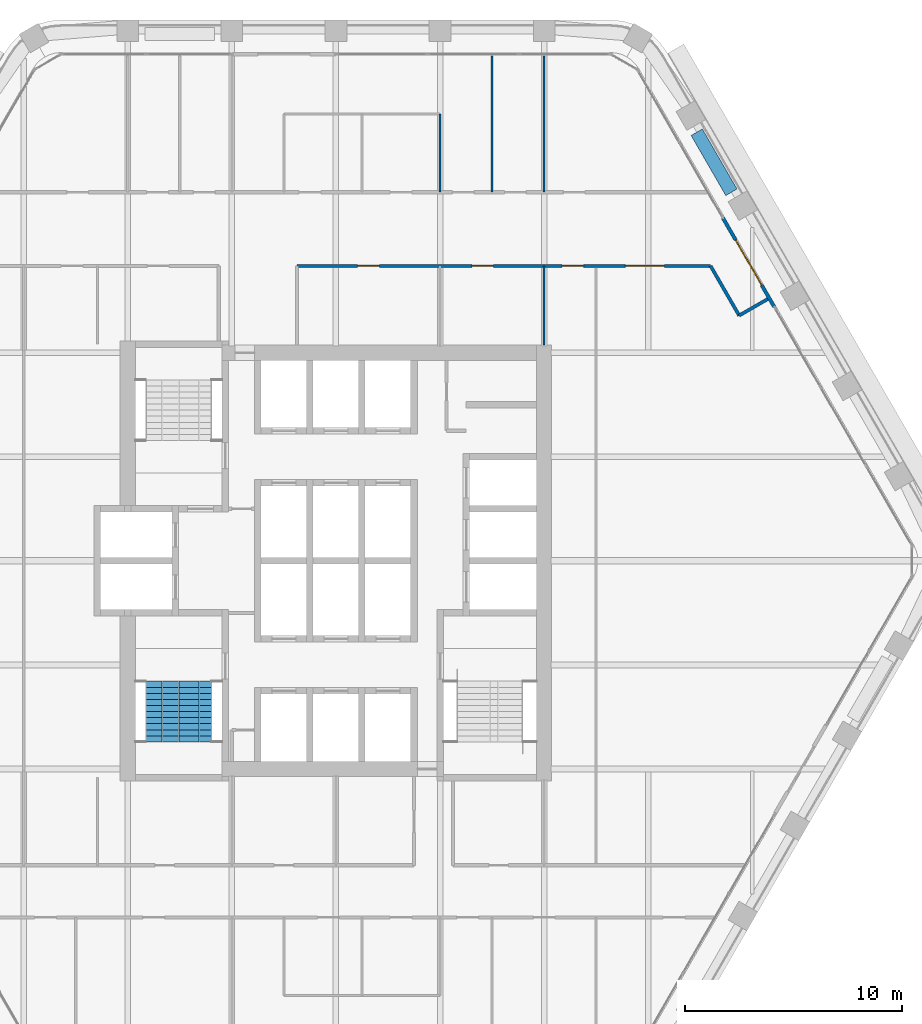
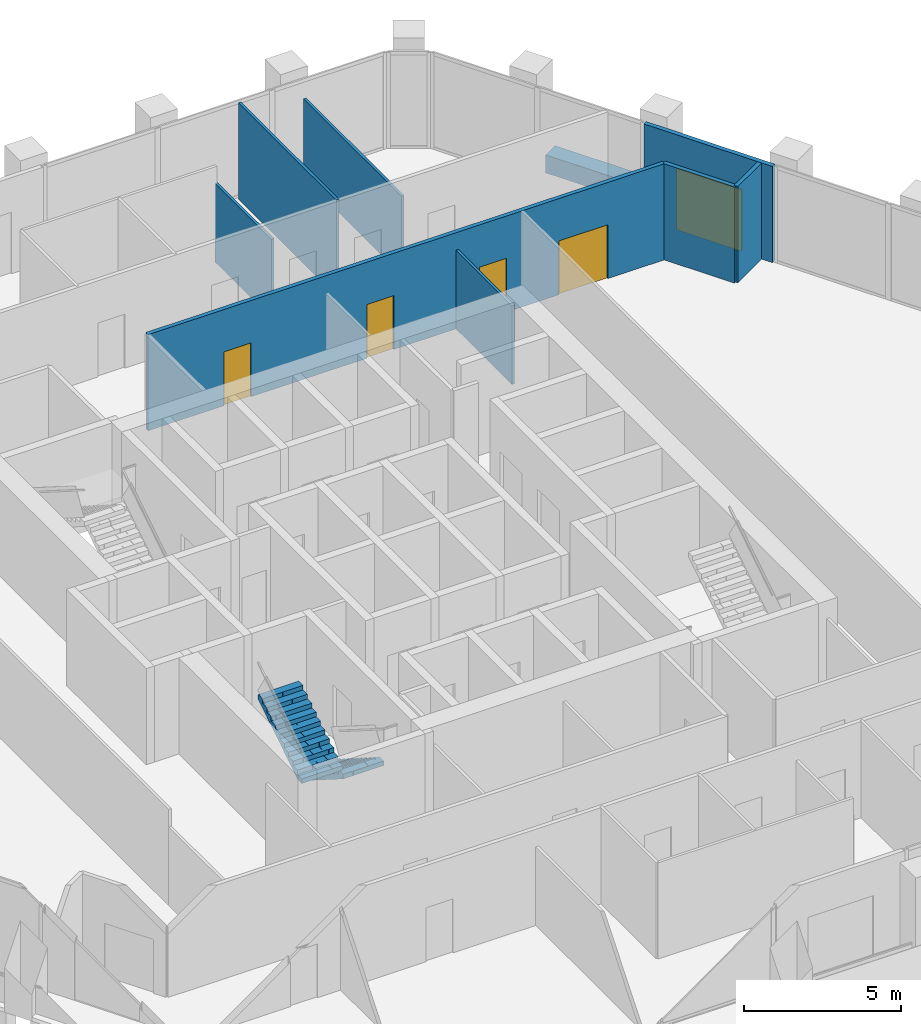
# One storey, part 12 of 15: 9 walls, 5 doors, 2 stair flights, 5 openings, 1 element without a shape of its own.
"""IFC4 building model written with IfcOpenShell, lengths in metres."""

from ifc_helpers import new_model, si_unit, direction, frame, frame_2d, origin, place, context, subcontext, project, spatial, polyline, rectangle, outline, extrude, material, layer, layer_set, type_object, element, fill, aggregate, save


model = new_model("IFC4")

# Units and contexts
model_context = context("Model", 3, precision=1e-05, world=origin(), true_north=direction((0.0, 1.0)))
body_context = subcontext(model_context, "Body", "Model", "MODEL_VIEW")
ifc_project = project(units=[si_unit("LENGTHUNIT", "METRE"), si_unit("AREAUNIT", "SQUARE_METRE"), si_unit("VOLUMEUNIT", "CUBIC_METRE"), si_unit("PLANEANGLEUNIT", "RADIAN"), si_unit("MASSUNIT", "GRAM", prefix="KILO")], contexts=[model_context])

# Site, building, storey
site_placement = place(None, origin())
site = spatial("IfcSite", under=ifc_project, at=site_placement, CompositionType="ELEMENT")
building_placement = place(site_placement, origin())
building = spatial("IfcBuilding", under=site, at=building_placement, Name="Kolab Exchange Tower", CompositionType="ELEMENT")
storey_placement = place(building_placement, frame((0.0, 0.0, 173.89990234375)))
storey = spatial("IfcBuildingStorey", under=building, at=storey_placement, Name="L36", CompositionType="ELEMENT", Elevation=173.89990234375)

# Wall, opening, door
ifc_material_1 = material(Name="Aluminium EN AW-6063 T6", Category="aluminium")
ifc_layer_1 = layer(ifc_material_1, 0.159912109375)
ifc_layer_set_1 = layer_set([ifc_layer_1], Name="Aluminium EN AW-6063 T6")
wall_type_1 = type_object("IfcWallType", Name="DOOR SURROUND WALL 160 ALUMINIUM FRAMED", PredefinedType="PARTITIONING", material=ifc_layer_set_1)
wall_1_placement = place(storey_placement, frame((17.8466796875, 15.811767578125, 0.0), z_axis=(0.0, 0.0, 1.0), x_axis=(0.5000167099, -0.866015756104, 0.0)))
wall_1 = element("IfcWall", 1, at=wall_1_placement, inside=storey, type_object=wall_type_1, Name="Door surround wall", PredefinedType="PARTITIONING", context=body_context, shape_type="SweptSolid", body=[
    extrude(rectangle(XDim=4.739990234375, YDim=0.159912109375, at=frame_2d((2.3701171875, 0.0))), origin(), (0.0, 0.0, 1.0), 3.75),
])
opening_1_placement = place(wall_1_placement, frame((1.169921875, 0.0, 0.0)))
opening_1 = element("IfcOpeningElement", 2, at=opening_1_placement, cuts=wall_1, Name="Opening GD1-065", PredefinedType="OPENING", context=body_context, shape_type="SweptSolid", body=[
    extrude(rectangle(XDim=2.39990234375, YDim=2.39990234375, at=frame_2d((1.199951171875, 1.199951171875))), frame((0.0, 0.08984375, 0.0), z_axis=(0.0, -1.0, 0.0), x_axis=(1.0, 0.0, 0.0)), (0.0, 0.0, 1.0), 0.179931640625),
])
door_type_1 = type_object("IfcDoorType", Name="LOGGIA SLIDING GLASS DOOR 2400 X 2400", OperationType="DOUBLE_DOOR_SINGLE_SWING", PredefinedType="DOOR", material=ifc_material_1)
door_1_placement = place(opening_1_placement, origin())
door_1 = element("IfcDoor", 3, at=door_1_placement, inside=storey, type_object=door_type_1, Name="Loggia door", OperationType="DOUBLE_DOOR_SLIDING", OverallHeight=2.39990234375, OverallWidth=2.39990234375, PredefinedType="DOOR", context=body_context, shape_type="SweptSolid", body=[
    extrude(rectangle(XDim=2.39990234375, YDim=2.39990234375, at=frame_2d((1.199951171875, 1.199951171875))), frame((0.0, 0.02490234375, 0.0), z_axis=(0.0, -1.0, 0.0), x_axis=(1.0, 0.0, 0.0)), (0.0, 0.0, 1.0), 0.050048828125),
])
fill(opening_1, door_1)

# Walls
ifc_material_2 = material(Name="Gypsum board", Category="gypsum")
ifc_layer_2 = layer(ifc_material_2, 0.10009765625)
ifc_layer_set_2 = layer_set([ifc_layer_2], Name="Gypsum board")
wall_type_2 = type_object("IfcWallType", Name="PARTITION 100", PredefinedType="PARTITIONING", material=ifc_layer_set_2)
wall_2_placement = place(storey_placement, frame((9.60009765625, 9.949951171875, 0.0), z_axis=(0.0, 0.0, 1.0), x_axis=(0.0, 1.0, 0.0)))
element("IfcWall", 4, at=wall_2_placement, inside=storey, type_object=wall_type_2, Name="Partition 003", PredefinedType="PARTITIONING", context=body_context, shape_type="SweptSolid", body=[
    extrude(rectangle(XDim=3.650146484375, YDim=0.10009765625, at=frame_2d((1.8251953125, 0.0))), origin(), (0.0, 0.0, 1.0), 3.066162109375),
])
wall_3_placement = place(storey_placement, frame((9.60009765625, 17.0, 0.0), z_axis=(0.0, 0.0, 1.0), x_axis=(0.0, 1.0, 0.0)))
element("IfcWall", 5, at=wall_3_placement, inside=storey, type_object=wall_type_2, Name="Partition 004", PredefinedType="PARTITIONING", context=body_context, shape_type="SweptSolid", body=[
    extrude(rectangle(XDim=6.271484375, YDim=0.10009765625, at=frame_2d((3.1357421875, 0.0))), origin(), (0.0, 0.0, 1.0), 3.066162109375),
])
wall_4_placement = place(storey_placement, frame((7.199951171875, 17.0, 0.0), z_axis=(0.0, 0.0, 1.0), x_axis=(0.0, 1.0, 0.0)))
element("IfcWall", 6, at=wall_4_placement, inside=storey, type_object=wall_type_2, Name="Partition 006", PredefinedType="PARTITIONING", context=body_context, shape_type="SweptSolid", body=[
    extrude(rectangle(XDim=6.271484375, YDim=0.10009765625, at=frame_2d((3.1357421875, 0.0))), origin(), (0.0, 0.0, 1.0), 3.75),
])
wall_5_placement = place(storey_placement, frame((4.800048828125, 17.0, 0.0), z_axis=(0.0, 0.0, 1.0), x_axis=(0.0, 1.0, 0.0)))
element("IfcWall", 7, at=wall_5_placement, inside=storey, type_object=wall_type_2, Name="Partition 011", PredefinedType="PARTITIONING", context=body_context, shape_type="SweptSolid", body=[
    extrude(rectangle(XDim=3.60009765625, YDim=0.10009765625, at=frame_2d((1.800048828125, 0.0))), origin(), (0.0, 0.0, 1.0), 3.066162109375),
])
ifc_layer_3 = layer(ifc_material_2, 0.14990234375)
ifc_layer_set_3 = layer_set([ifc_layer_3], Name="Gypsum board")
wall_type_3 = type_object("IfcWallType", Name="PARTITION 150 FIRE-RATED", PredefinedType="PARTITIONING", material=ifc_layer_set_3)
wall_6_placement = place(storey_placement, frame((17.276123046875, 13.60009765625, 0.0), z_axis=(0.0, 0.0, 1.0), x_axis=(0.499938597367, -0.866060851709, 0.0)))
element("IfcWall", 8, at=wall_6_placement, inside=storey, type_object=wall_type_3, Name="Partition 031", PredefinedType="PARTITIONING", context=body_context, shape_type="SweptSolid", body=[
    extrude(rectangle(XDim=2.639892578125, YDim=0.14990234375, at=frame_2d((1.31982421875, 0.0))), origin(), (0.0, 0.0, 1.0), 3.75),
])
wall_7_placement = place(storey_placement, frame((18.595947265625, 11.313720703125, 0.0), z_axis=(0.0, 0.0, 1.0), x_axis=(0.866030456496, 0.499991248344, 0.0)))
element("IfcWall", 9, at=wall_7_placement, inside=storey, type_object=wall_type_3, Name="Partition 033", PredefinedType="PARTITIONING", context=body_context, shape_type="SweptSolid", body=[
    extrude(rectangle(XDim=1.52001953125, YDim=0.14990234375, at=frame_2d((0.760009765625, 0.0))), origin(), (0.0, 0.0, 1.0), 3.75),
])

# Wall, openings, doors
wall_8_placement = place(storey_placement, frame((-1.800048828125, 13.60009765625, 0.0), z_axis=(0.0, 0.0, 1.0), x_axis=(1.0, 0.0, 0.0)))
wall_8 = element("IfcWall", 10, at=wall_8_placement, inside=storey, type_object=wall_type_3, Name="Partition 041", PredefinedType="PARTITIONING", context=body_context, shape_type="SweptSolid", body=[
    extrude(rectangle(XDim=19.076171875, YDim=0.14990234375, at=frame_2d((9.5380859375, 0.0))), origin(), (0.0, 0.0, 1.0), 3.75),
])
opening_2_placement = place(wall_8_placement, frame((2.800048828125, 0.0, 0.0)))
opening_2 = element("IfcOpeningElement", 11, at=opening_2_placement, cuts=wall_8, Name="Opening D1-473", PredefinedType="OPENING", context=body_context, shape_type="SweptSolid", body=[
    extrude(rectangle(XDim=1.0, YDim=2.10009765625, at=frame_2d((0.5, 1.050048828125))), frame((0.0, 0.0849609375, 0.0), z_axis=(0.0, -1.0, 0.0), x_axis=(1.0, 0.0, 0.0)), (0.0, 0.0, 1.0), 0.169921875),
])
opening_3_placement = place(wall_8_placement, frame((8.06494140625, 0.0, 0.0)))
opening_3 = element("IfcOpeningElement", 12, at=opening_3_placement, cuts=wall_8, Name="Opening D1-474", PredefinedType="OPENING", context=body_context, shape_type="SweptSolid", body=[
    extrude(rectangle(XDim=1.0, YDim=2.10009765625, at=frame_2d((0.5, 1.050048828125))), frame((0.0, 0.0849609375, 0.0), z_axis=(0.0, -1.0, 0.0), x_axis=(1.0, 0.0, 0.0)), (0.0, 0.0, 1.0), 0.169921875),
])
opening_4_placement = place(wall_8_placement, frame((12.22509765625, 0.0, 0.0)))
opening_4 = element("IfcOpeningElement", 13, at=opening_4_placement, cuts=wall_8, Name="Opening D1-492", PredefinedType="OPENING", context=body_context, shape_type="SweptSolid", body=[
    extrude(rectangle(XDim=1.0, YDim=2.10009765625, at=frame_2d((0.5, 1.050048828125))), frame((0.0, 0.0849609375, 0.0), z_axis=(0.0, -1.0, 0.0), x_axis=(1.0, 0.0, 0.0)), (0.0, 0.0, 1.0), 0.169921875),
])
opening_5_placement = place(wall_8_placement, frame((15.151611328125, 0.0, 0.0)))
opening_5 = element("IfcOpeningElement", 14, at=opening_5_placement, cuts=wall_8, Name="Opening D2-050", PredefinedType="OPENING", context=body_context, shape_type="SweptSolid", body=[
    extrude(rectangle(XDim=1.800048828125, YDim=2.10009765625, at=frame_2d((0.89990234375, 1.050048828125))), frame((0.0, 0.0849609375, 0.0), z_axis=(0.0, -1.0, 0.0), x_axis=(1.0, 0.0, 0.0)), (0.0, 0.0, 1.0), 0.169921875),
])
ifc_material_3 = material(Name="Steel S235", Category="steel")
door_type_2 = type_object("IfcDoorType", Name="DOUBLE DOOR 1800 FD60", OperationType="DOUBLE_DOOR_SINGLE_SWING", PredefinedType="DOOR", material=ifc_material_3)
door_2_placement = place(opening_5_placement, frame((1.800048828125, 0.0, 0.0), z_axis=(0.0, 0.0, 1.0), x_axis=(-1.0, 0.0, 0.0)))
door_2 = element("IfcDoor", 15, at=door_2_placement, inside=storey, type_object=door_type_2, Name="Door L36-054", OperationType="SINGLE_SWING_LEFT", OverallHeight=2.10009765625, OverallWidth=1.800048828125, PredefinedType="DOOR", context=body_context, shape_type="SweptSolid", body=[
    extrude(rectangle(XDim=1.800048828125, YDim=2.10009765625, at=frame_2d((0.89990234375, 1.050048828125))), frame((0.0, 0.02490234375, 0.0), z_axis=(0.0, -1.0, 0.0), x_axis=(1.0, 0.0, 0.0)), (0.0, 0.0, 1.0), 0.050048828125),
])
fill(opening_5, door_2)
door_type_3 = type_object("IfcDoorType", Name="FLUSH DOOR 1000 FD60", OperationType="SINGLE_SWING_LEFT", PredefinedType="DOOR", material=ifc_material_3)
door_3_placement = place(opening_2_placement, frame((1.0, 0.0, 0.0), z_axis=(0.0, 0.0, 1.0), x_axis=(-1.0, 0.0, 0.0)))
door_3 = element("IfcDoor", 16, at=door_3_placement, inside=storey, type_object=door_type_3, Name="Door L36-031", OperationType="SINGLE_SWING_LEFT", OverallHeight=2.10009765625, OverallWidth=1.0, PredefinedType="DOOR", context=body_context, shape_type="SweptSolid", body=[
    extrude(rectangle(XDim=1.0, YDim=2.10009765625, at=frame_2d((0.5, 1.050048828125))), frame((0.0, 0.02490234375, 0.0), z_axis=(0.0, -1.0, 0.0), x_axis=(1.0, 0.0, 0.0)), (0.0, 0.0, 1.0), 0.050048828125),
])
fill(opening_2, door_3)
door_4_placement = place(opening_3_placement, frame((1.0, 0.0, 0.0), z_axis=(0.0, 0.0, 1.0), x_axis=(-1.0, 0.0, 0.0)))
door_4 = element("IfcDoor", 17, at=door_4_placement, inside=storey, type_object=door_type_3, Name="Door L36-032", OperationType="SINGLE_SWING_LEFT", OverallHeight=2.10009765625, OverallWidth=1.0, PredefinedType="DOOR", context=body_context, shape_type="SweptSolid", body=[
    extrude(rectangle(XDim=1.0, YDim=2.10009765625, at=frame_2d((0.5, 1.050048828125))), frame((0.0, 0.02490234375, 0.0), z_axis=(0.0, -1.0, 0.0), x_axis=(1.0, 0.0, 0.0)), (0.0, 0.0, 1.0), 0.050048828125),
])
fill(opening_3, door_4)
door_5_placement = place(opening_4_placement, frame((1.0, 0.0, 0.0), z_axis=(0.0, 0.0, 1.0), x_axis=(-1.0, 0.0, 0.0)))
door_5 = element("IfcDoor", 18, at=door_5_placement, inside=storey, type_object=door_type_3, Name="Door L36-053", OperationType="SINGLE_SWING_RIGHT", OverallHeight=2.10009765625, OverallWidth=1.0, PredefinedType="DOOR", context=body_context, shape_type="SweptSolid", body=[
    extrude(rectangle(XDim=1.0, YDim=2.10009765625, at=frame_2d((0.5, 1.050048828125))), frame((0.0, 0.02490234375, 0.0), z_axis=(0.0, -1.0, 0.0), x_axis=(1.0, 0.0, 0.0)), (0.0, 0.0, 1.0), 0.050048828125),
])
fill(opening_4, door_5)

# Wall
ifc_material_4 = material(Name="Granite facing", Category="masonry")
ifc_layer_4 = layer(ifc_material_4, 0.0400390625)
ifc_material_5 = material(Name="Concrete C40/50 precast", Category="concrete")
ifc_layer_5 = layer(ifc_material_5, 0.56005859375)
ifc_layer_set_4 = layer_set([ifc_layer_4, ifc_layer_5], Name="Concrete C40/50 precast")
wall_type_4 = type_object("IfcWallType", Name="PLANTER BOX 600 X 700 SOIL DEPTH 550", PredefinedType="USERDEFINED", material=ifc_layer_set_4)
wall_9_placement = place(storey_placement, frame((16.636962890625, 19.766845703125, 0.0), z_axis=(0.0, 0.0, 1.0), x_axis=(0.500028443584, -0.866008981251, 0.0)))
element("IfcWall", 19, at=wall_9_placement, inside=storey, type_object=wall_type_4, Name="Planter", ObjectType="PLANTER", PredefinedType="USERDEFINED", context=body_context, shape_type="SweptSolid", body=[
    extrude(rectangle(XDim=3.199951171875, YDim=0.60009765625, at=frame_2d((1.60009765625, 0.0))), origin(), (0.0, 0.0, 1.0), 0.7001953125),
])

# Stair, stair flights
ifc_material_6 = material(Name="Concrete C50/60", Category="concrete")
stair_type = type_object("IfcStairType", Name="STAIR ST3 RISER 177.3", PredefinedType="HALF_TURN_STAIR", material=ifc_material_6)
stair_placement = place(storey_placement, origin())
stair = element("IfcStair", 20, at=stair_placement, inside=storey, type_object=stair_type, Name="Stair 3", PredefinedType="HALF_TURN_STAIR")
stair_flight_type = type_object("IfcStairFlightType", Name="STAIR FLIGHT 1500 RISER 177.3", PredefinedType="STRAIGHT", material=ifc_material_6)
stair_flight_1_placement = place(storey_placement, frame((-6.489990234375, -5.550048828125, 0.0), z_axis=(0.0, 0.0, 1.0), x_axis=(0.0, -1.0, 0.0)))
stair_flight_1 = element("IfcStairFlight", 21, at=stair_flight_1_placement, type_object=stair_flight_type, Name="ST3 flight 1", NumberOfRisers=11, NumberOfTreads=10, PredefinedType="STRAIGHT", RiserHeight=0.177272727, TreadLength=0.28, context=body_context, shape_type="SweptSolid", body=[
    extrude(outline(polyline([(0.0, 0.0), (0.0, 0.17724609375), (0.280029296875, 0.17724609375), (0.280029296875, 0.3544921875), (0.56005859375, 0.3544921875), (0.56005859375, 0.53173828125), (0.840087890625, 0.53173828125), (0.840087890625, 0.708984375), (1.1201171875, 0.708984375), (1.1201171875, 0.886474609375), (1.39990234375, 0.886474609375), (1.39990234375, 1.063720703125), (1.679931640625, 1.063720703125), (1.679931640625, 1.240966796875), (1.9599609375, 1.240966796875), (1.9599609375, 1.418212890625), (2.239990234375, 1.418212890625), (2.239990234375, 1.595458984375), (2.52001953125, 1.595458984375), (2.52001953125, 1.772705078125), (2.800048828125, 1.772705078125), (2.800048828125, 1.949951171875), (2.800048828125, 1.59521484375), (0.2802734375, 0.0), (0.0, 0.0)])), frame((0.0, 0.75, 0.0), z_axis=(0.0, -1.0, 0.0), x_axis=(1.0, 0.0, 0.0)), (0.0, 0.0, 1.0), 0.185791015625),
    extrude(outline(polyline([(0.0, 0.0), (0.0, 0.17724609375), (0.280029296875, 0.17724609375), (0.280029296875, 0.3544921875), (0.56005859375, 0.3544921875), (0.56005859375, 0.53173828125), (0.840087890625, 0.53173828125), (0.840087890625, 0.708984375), (1.1201171875, 0.708984375), (1.1201171875, 0.886474609375), (1.39990234375, 0.886474609375), (1.39990234375, 1.063720703125), (1.679931640625, 1.063720703125), (1.679931640625, 1.240966796875), (1.9599609375, 1.240966796875), (1.9599609375, 1.418212890625), (2.239990234375, 1.418212890625), (2.239990234375, 1.595458984375), (2.52001953125, 1.595458984375), (2.52001953125, 1.772705078125), (2.800048828125, 1.772705078125), (2.800048828125, 1.949951171875), (2.800048828125, 1.59521484375), (0.2802734375, 0.0), (0.0, 0.0)])), frame((0.0, 0.562255859375, 0.0), z_axis=(0.0, -1.0, 0.0), x_axis=(1.0, 0.0, 0.0)), (0.0, 0.0, 1.0), 0.185791015625),
    extrude(outline(polyline([(0.0, 0.0), (0.0, 0.17724609375), (0.280029296875, 0.17724609375), (0.280029296875, 0.3544921875), (0.56005859375, 0.3544921875), (0.56005859375, 0.53173828125), (0.840087890625, 0.53173828125), (0.840087890625, 0.708984375), (1.1201171875, 0.708984375), (1.1201171875, 0.886474609375), (1.39990234375, 0.886474609375), (1.39990234375, 1.063720703125), (1.679931640625, 1.063720703125), (1.679931640625, 1.240966796875), (1.9599609375, 1.240966796875), (1.9599609375, 1.418212890625), (2.239990234375, 1.418212890625), (2.239990234375, 1.595458984375), (2.52001953125, 1.595458984375), (2.52001953125, 1.772705078125), (2.800048828125, 1.772705078125), (2.800048828125, 1.949951171875), (2.800048828125, 1.59521484375), (0.2802734375, 0.0), (0.0, 0.0)])), frame((0.0, 0.37451171875, 0.0), z_axis=(0.0, -1.0, 0.0), x_axis=(1.0, 0.0, 0.0)), (0.0, 0.0, 1.0), 0.185791015625),
    extrude(outline(polyline([(0.0, 0.0), (0.0, 0.17724609375), (0.280029296875, 0.17724609375), (0.280029296875, 0.3544921875), (0.56005859375, 0.3544921875), (0.56005859375, 0.53173828125), (0.840087890625, 0.53173828125), (0.840087890625, 0.708984375), (1.1201171875, 0.708984375), (1.1201171875, 0.886474609375), (1.39990234375, 0.886474609375), (1.39990234375, 1.063720703125), (1.679931640625, 1.063720703125), (1.679931640625, 1.240966796875), (1.9599609375, 1.240966796875), (1.9599609375, 1.418212890625), (2.239990234375, 1.418212890625), (2.239990234375, 1.595458984375), (2.52001953125, 1.595458984375), (2.52001953125, 1.772705078125), (2.800048828125, 1.772705078125), (2.800048828125, 1.949951171875), (2.800048828125, 1.59521484375), (0.2802734375, 0.0), (0.0, 0.0)])), frame((0.0, 0.186767578125, 0.0), z_axis=(0.0, -1.0, 0.0), x_axis=(1.0, 0.0, 0.0)), (0.0, 0.0, 1.0), 0.185791015625),
    extrude(outline(polyline([(0.0, 0.0), (0.0, 0.17724609375), (0.280029296875, 0.17724609375), (0.280029296875, 0.3544921875), (0.56005859375, 0.3544921875), (0.56005859375, 0.53173828125), (0.840087890625, 0.53173828125), (0.840087890625, 0.708984375), (1.1201171875, 0.708984375), (1.1201171875, 0.886474609375), (1.39990234375, 0.886474609375), (1.39990234375, 1.063720703125), (1.679931640625, 1.063720703125), (1.679931640625, 1.240966796875), (1.9599609375, 1.240966796875), (1.9599609375, 1.418212890625), (2.239990234375, 1.418212890625), (2.239990234375, 1.595458984375), (2.52001953125, 1.595458984375), (2.52001953125, 1.772705078125), (2.800048828125, 1.772705078125), (2.800048828125, 1.949951171875), (2.800048828125, 1.59521484375), (0.2802734375, 0.0), (0.0, 0.0)])), frame((0.0, -0.0009765625, 0.0), z_axis=(0.0, -1.0, 0.0), x_axis=(1.0, 0.0, 0.0)), (0.0, 0.0, 1.0), 0.185791015625),
    extrude(outline(polyline([(0.0, 0.0), (0.0, 0.17724609375), (0.280029296875, 0.17724609375), (0.280029296875, 0.3544921875), (0.56005859375, 0.3544921875), (0.56005859375, 0.53173828125), (0.840087890625, 0.53173828125), (0.840087890625, 0.708984375), (1.1201171875, 0.708984375), (1.1201171875, 0.886474609375), (1.39990234375, 0.886474609375), (1.39990234375, 1.063720703125), (1.679931640625, 1.063720703125), (1.679931640625, 1.240966796875), (1.9599609375, 1.240966796875), (1.9599609375, 1.418212890625), (2.239990234375, 1.418212890625), (2.239990234375, 1.595458984375), (2.52001953125, 1.595458984375), (2.52001953125, 1.772705078125), (2.800048828125, 1.772705078125), (2.800048828125, 1.949951171875), (2.800048828125, 1.59521484375), (0.2802734375, 0.0), (0.0, 0.0)])), frame((0.0, -0.188720703125, 0.0), z_axis=(0.0, -1.0, 0.0), x_axis=(1.0, 0.0, 0.0)), (0.0, 0.0, 1.0), 0.185791015625),
    extrude(outline(polyline([(0.0, 0.0), (0.0, 0.17724609375), (0.280029296875, 0.17724609375), (0.280029296875, 0.3544921875), (0.56005859375, 0.3544921875), (0.56005859375, 0.53173828125), (0.840087890625, 0.53173828125), (0.840087890625, 0.708984375), (1.1201171875, 0.708984375), (1.1201171875, 0.886474609375), (1.39990234375, 0.886474609375), (1.39990234375, 1.063720703125), (1.679931640625, 1.063720703125), (1.679931640625, 1.240966796875), (1.9599609375, 1.240966796875), (1.9599609375, 1.418212890625), (2.239990234375, 1.418212890625), (2.239990234375, 1.595458984375), (2.52001953125, 1.595458984375), (2.52001953125, 1.772705078125), (2.800048828125, 1.772705078125), (2.800048828125, 1.949951171875), (2.800048828125, 1.59521484375), (0.2802734375, 0.0), (0.0, 0.0)])), frame((0.0, -0.37646484375, 0.0), z_axis=(0.0, -1.0, 0.0), x_axis=(1.0, 0.0, 0.0)), (0.0, 0.0, 1.0), 0.185791015625),
    extrude(outline(polyline([(0.0, 0.0), (0.0, 0.17724609375), (0.280029296875, 0.17724609375), (0.280029296875, 0.3544921875), (0.56005859375, 0.3544921875), (0.56005859375, 0.53173828125), (0.840087890625, 0.53173828125), (0.840087890625, 0.708984375), (1.1201171875, 0.708984375), (1.1201171875, 0.886474609375), (1.39990234375, 0.886474609375), (1.39990234375, 1.063720703125), (1.679931640625, 1.063720703125), (1.679931640625, 1.240966796875), (1.9599609375, 1.240966796875), (1.9599609375, 1.418212890625), (2.239990234375, 1.418212890625), (2.239990234375, 1.595458984375), (2.52001953125, 1.595458984375), (2.52001953125, 1.772705078125), (2.800048828125, 1.772705078125), (2.800048828125, 1.949951171875), (2.800048828125, 1.59521484375), (0.2802734375, 0.0), (0.0, 0.0)])), frame((0.0, -0.564208984375, 0.0), z_axis=(0.0, -1.0, 0.0), x_axis=(1.0, 0.0, 0.0)), (0.0, 0.0, 1.0), 0.185791015625),
])
stair_flight_2_placement = place(storey_placement, frame((-8.010009765625, -8.35009765625, 1.9501953125), z_axis=(0.0, 0.0, 1.0), x_axis=(0.0, 1.0, 0.0)))
stair_flight_2 = element("IfcStairFlight", 22, at=stair_flight_2_placement, type_object=stair_flight_type, Name="ST3 flight 2", NumberOfRisers=11, NumberOfTreads=10, PredefinedType="STRAIGHT", RiserHeight=0.177272727, TreadLength=0.28, context=body_context, shape_type="SweptSolid", body=[
    extrude(outline(polyline([(0.0, 0.0), (0.0, 0.17724609375), (0.280029296875, 0.17724609375), (0.280029296875, 0.3544921875), (0.56005859375, 0.3544921875), (0.56005859375, 0.53173828125), (0.840087890625, 0.53173828125), (0.840087890625, 0.708984375), (1.1201171875, 0.708984375), (1.1201171875, 0.886474609375), (1.39990234375, 0.886474609375), (1.39990234375, 1.063720703125), (1.679931640625, 1.063720703125), (1.679931640625, 1.240966796875), (1.9599609375, 1.240966796875), (1.9599609375, 1.418212890625), (2.239990234375, 1.418212890625), (2.239990234375, 1.595458984375), (2.52001953125, 1.595458984375), (2.52001953125, 1.772705078125), (2.800048828125, 1.772705078125), (2.800048828125, 1.949951171875), (2.800048828125, 1.59521484375), (0.2802734375, 0.0), (0.0, 0.0)])), frame((0.0, 0.75, 0.0), z_axis=(0.0, -1.0, 0.0), x_axis=(1.0, 0.0, 0.0)), (0.0, 0.0, 1.0), 0.185791015625),
    extrude(outline(polyline([(0.0, 0.0), (0.0, 0.17724609375), (0.280029296875, 0.17724609375), (0.280029296875, 0.3544921875), (0.56005859375, 0.3544921875), (0.56005859375, 0.53173828125), (0.840087890625, 0.53173828125), (0.840087890625, 0.708984375), (1.1201171875, 0.708984375), (1.1201171875, 0.886474609375), (1.39990234375, 0.886474609375), (1.39990234375, 1.063720703125), (1.679931640625, 1.063720703125), (1.679931640625, 1.240966796875), (1.9599609375, 1.240966796875), (1.9599609375, 1.418212890625), (2.239990234375, 1.418212890625), (2.239990234375, 1.595458984375), (2.52001953125, 1.595458984375), (2.52001953125, 1.772705078125), (2.800048828125, 1.772705078125), (2.800048828125, 1.949951171875), (2.800048828125, 1.59521484375), (0.2802734375, 0.0), (0.0, 0.0)])), frame((0.0, 0.562255859375, 0.0), z_axis=(0.0, -1.0, 0.0), x_axis=(1.0, 0.0, 0.0)), (0.0, 0.0, 1.0), 0.185791015625),
    extrude(outline(polyline([(0.0, 0.0), (0.0, 0.17724609375), (0.280029296875, 0.17724609375), (0.280029296875, 0.3544921875), (0.56005859375, 0.3544921875), (0.56005859375, 0.53173828125), (0.840087890625, 0.53173828125), (0.840087890625, 0.708984375), (1.1201171875, 0.708984375), (1.1201171875, 0.886474609375), (1.39990234375, 0.886474609375), (1.39990234375, 1.063720703125), (1.679931640625, 1.063720703125), (1.679931640625, 1.240966796875), (1.9599609375, 1.240966796875), (1.9599609375, 1.418212890625), (2.239990234375, 1.418212890625), (2.239990234375, 1.595458984375), (2.52001953125, 1.595458984375), (2.52001953125, 1.772705078125), (2.800048828125, 1.772705078125), (2.800048828125, 1.949951171875), (2.800048828125, 1.59521484375), (0.2802734375, 0.0), (0.0, 0.0)])), frame((0.0, 0.37451171875, 0.0), z_axis=(0.0, -1.0, 0.0), x_axis=(1.0, 0.0, 0.0)), (0.0, 0.0, 1.0), 0.185791015625),
    extrude(outline(polyline([(0.0, 0.0), (0.0, 0.17724609375), (0.280029296875, 0.17724609375), (0.280029296875, 0.3544921875), (0.56005859375, 0.3544921875), (0.56005859375, 0.53173828125), (0.840087890625, 0.53173828125), (0.840087890625, 0.708984375), (1.1201171875, 0.708984375), (1.1201171875, 0.886474609375), (1.39990234375, 0.886474609375), (1.39990234375, 1.063720703125), (1.679931640625, 1.063720703125), (1.679931640625, 1.240966796875), (1.9599609375, 1.240966796875), (1.9599609375, 1.418212890625), (2.239990234375, 1.418212890625), (2.239990234375, 1.595458984375), (2.52001953125, 1.595458984375), (2.52001953125, 1.772705078125), (2.800048828125, 1.772705078125), (2.800048828125, 1.949951171875), (2.800048828125, 1.59521484375), (0.2802734375, 0.0), (0.0, 0.0)])), frame((0.0, 0.186767578125, 0.0), z_axis=(0.0, -1.0, 0.0), x_axis=(1.0, 0.0, 0.0)), (0.0, 0.0, 1.0), 0.185791015625),
    extrude(outline(polyline([(0.0, 0.0), (0.0, 0.17724609375), (0.280029296875, 0.17724609375), (0.280029296875, 0.3544921875), (0.56005859375, 0.3544921875), (0.56005859375, 0.53173828125), (0.840087890625, 0.53173828125), (0.840087890625, 0.708984375), (1.1201171875, 0.708984375), (1.1201171875, 0.886474609375), (1.39990234375, 0.886474609375), (1.39990234375, 1.063720703125), (1.679931640625, 1.063720703125), (1.679931640625, 1.240966796875), (1.9599609375, 1.240966796875), (1.9599609375, 1.418212890625), (2.239990234375, 1.418212890625), (2.239990234375, 1.595458984375), (2.52001953125, 1.595458984375), (2.52001953125, 1.772705078125), (2.800048828125, 1.772705078125), (2.800048828125, 1.949951171875), (2.800048828125, 1.59521484375), (0.2802734375, 0.0), (0.0, 0.0)])), frame((0.0, -0.0009765625, 0.0), z_axis=(0.0, -1.0, 0.0), x_axis=(1.0, 0.0, 0.0)), (0.0, 0.0, 1.0), 0.185791015625),
    extrude(outline(polyline([(0.0, 0.0), (0.0, 0.17724609375), (0.280029296875, 0.17724609375), (0.280029296875, 0.3544921875), (0.56005859375, 0.3544921875), (0.56005859375, 0.53173828125), (0.840087890625, 0.53173828125), (0.840087890625, 0.708984375), (1.1201171875, 0.708984375), (1.1201171875, 0.886474609375), (1.39990234375, 0.886474609375), (1.39990234375, 1.063720703125), (1.679931640625, 1.063720703125), (1.679931640625, 1.240966796875), (1.9599609375, 1.240966796875), (1.9599609375, 1.418212890625), (2.239990234375, 1.418212890625), (2.239990234375, 1.595458984375), (2.52001953125, 1.595458984375), (2.52001953125, 1.772705078125), (2.800048828125, 1.772705078125), (2.800048828125, 1.949951171875), (2.800048828125, 1.59521484375), (0.2802734375, 0.0), (0.0, 0.0)])), frame((0.0, -0.188720703125, 0.0), z_axis=(0.0, -1.0, 0.0), x_axis=(1.0, 0.0, 0.0)), (0.0, 0.0, 1.0), 0.185791015625),
    extrude(outline(polyline([(0.0, 0.0), (0.0, 0.17724609375), (0.280029296875, 0.17724609375), (0.280029296875, 0.3544921875), (0.56005859375, 0.3544921875), (0.56005859375, 0.53173828125), (0.840087890625, 0.53173828125), (0.840087890625, 0.708984375), (1.1201171875, 0.708984375), (1.1201171875, 0.886474609375), (1.39990234375, 0.886474609375), (1.39990234375, 1.063720703125), (1.679931640625, 1.063720703125), (1.679931640625, 1.240966796875), (1.9599609375, 1.240966796875), (1.9599609375, 1.418212890625), (2.239990234375, 1.418212890625), (2.239990234375, 1.595458984375), (2.52001953125, 1.595458984375), (2.52001953125, 1.772705078125), (2.800048828125, 1.772705078125), (2.800048828125, 1.949951171875), (2.800048828125, 1.59521484375), (0.2802734375, 0.0), (0.0, 0.0)])), frame((0.0, -0.37646484375, 0.0), z_axis=(0.0, -1.0, 0.0), x_axis=(1.0, 0.0, 0.0)), (0.0, 0.0, 1.0), 0.185791015625),
    extrude(outline(polyline([(0.0, 0.0), (0.0, 0.17724609375), (0.280029296875, 0.17724609375), (0.280029296875, 0.3544921875), (0.56005859375, 0.3544921875), (0.56005859375, 0.53173828125), (0.840087890625, 0.53173828125), (0.840087890625, 0.708984375), (1.1201171875, 0.708984375), (1.1201171875, 0.886474609375), (1.39990234375, 0.886474609375), (1.39990234375, 1.063720703125), (1.679931640625, 1.063720703125), (1.679931640625, 1.240966796875), (1.9599609375, 1.240966796875), (1.9599609375, 1.418212890625), (2.239990234375, 1.418212890625), (2.239990234375, 1.595458984375), (2.52001953125, 1.595458984375), (2.52001953125, 1.772705078125), (2.800048828125, 1.772705078125), (2.800048828125, 1.949951171875), (2.800048828125, 1.59521484375), (0.2802734375, 0.0), (0.0, 0.0)])), frame((0.0, -0.564208984375, 0.0), z_axis=(0.0, -1.0, 0.0), x_axis=(1.0, 0.0, 0.0)), (0.0, 0.0, 1.0), 0.185791015625),
])
aggregate(stair, [stair_flight_1, stair_flight_2])

save(model, "model.ifc")
